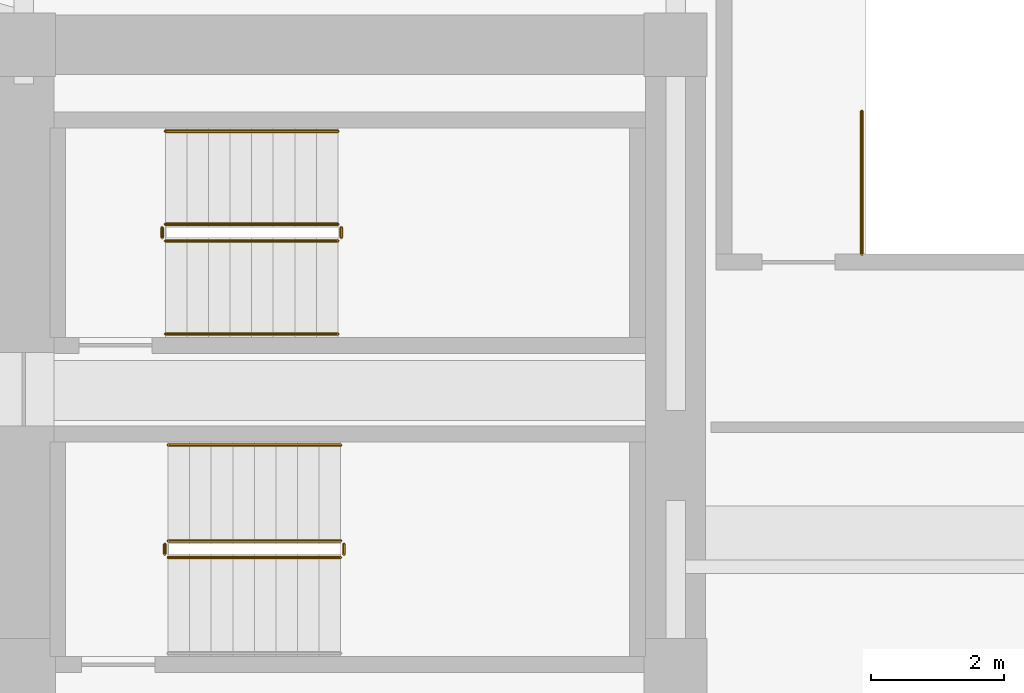
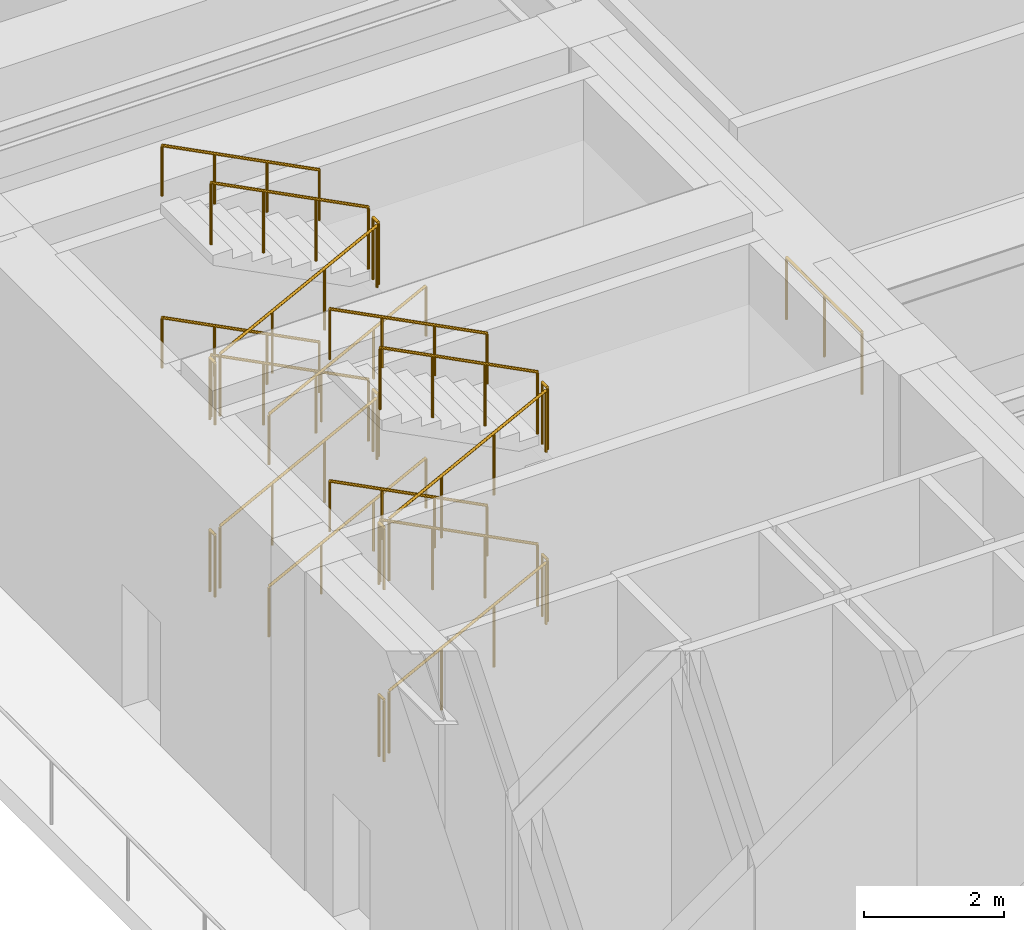
# One storey, part 16 of 16: 23 railings.
"""IFC4 building model written with IfcOpenShell, lengths in metres."""

from ifc_helpers import new_model, si_unit, direction, frame, origin, origin_2d, place, context, subcontext, project, spatial, circle, extrude, material, type_object, element, save


model = new_model("IFC4")

# Units and contexts
model_context = context("Model", 3, precision=1e-05, world=origin(), true_north=direction((0.0, 1.0)))
body_context = subcontext(model_context, "Body", "Model", "MODEL_VIEW")
ifc_project = project(units=[si_unit("LENGTHUNIT", "METRE"), si_unit("AREAUNIT", "SQUARE_METRE"), si_unit("VOLUMEUNIT", "CUBIC_METRE"), si_unit("PLANEANGLEUNIT", "RADIAN"), si_unit("MASSUNIT", "GRAM", prefix="KILO")], contexts=[model_context])

# Site, building, storey
site_placement = place(None, origin())
site = spatial("IfcSite", under=ifc_project, at=site_placement, CompositionType="ELEMENT")
building_placement = place(site_placement, origin())
building = spatial("IfcBuilding", under=site, at=building_placement, Name="Kolvaren Arena Tower", CompositionType="ELEMENT")
storey_placement = place(building_placement, frame((0.0, 0.0, 28.0)))
storey = spatial("IfcBuildingStorey", under=building, at=storey_placement, Name="L05", CompositionType="ELEMENT", Elevation=28.0)

# Railings
ifc_material_1 = material(Name="Painted galvanized steel", Category="steel")
railing_type_1 = type_object("IfcRailingType", Name="GUARD-ST-110", PredefinedType="GUARDRAIL", material=ifc_material_1)
railing_1_placement = place(storey_placement, frame((52.719970703125, 31.639892578125, 0.166748046875)))
element("IfcRailing", 1, at=railing_1_placement, inside=storey, type_object=railing_type_1, Name="L05 ST-E1 stair guard 1", PredefinedType="GUARDRAIL", context=body_context, shape_type="SweptSolid", body=[
    extrude(circle(Radius=0.02392578125, at=origin_2d()), frame((0.0, 0.0, 1.076171875), z_axis=(0.889259574853, 0.0, 0.457402895194), x_axis=(0.0, 1.0, 0.0)), (0.0, 0.0, 1.0), 2.914794921875),
    extrude(circle(Radius=0.02099609375, at=origin_2d()), origin(), (0.0, 0.0, 1.0), 1.052001953125),
    extrude(circle(Radius=0.02099609375, at=origin_2d()), frame((0.864013671875, 0.0, 0.4443359375)), (0.0, 0.0, 1.0), 1.052001953125),
    extrude(circle(Radius=0.02099609375, at=origin_2d()), frame((1.72802734375, 0.0, 0.888916015625)), (0.0, 0.0, 1.0), 1.052001953125),
    extrude(circle(Radius=0.02099609375, at=origin_2d()), frame((2.592041015625, 0.0, 1.333251953125)), (0.0, 0.0, 1.0), 1.052001953125),
])
railing_2_placement = place(storey_placement, frame((55.362060546875, 31.68994140625, 1.5)))
element("IfcRailing", 2, at=railing_2_placement, inside=storey, type_object=railing_type_1, Name="L05 ST-E1 stair guard 2", PredefinedType="GUARDRAIL", context=body_context, shape_type="SweptSolid", body=[
    extrude(circle(Radius=0.02392578125, at=origin_2d()), frame((0.0, 0.0, 1.076171875), z_axis=(0.0, 1.0, 0.0), x_axis=(-1.0, 0.0, 0.0)), (0.0, 0.0, 1.0), 0.150146484375),
    extrude(circle(Radius=0.02099609375, at=origin_2d()), origin(), (0.0, 0.0, 1.0), 1.052001953125),
    extrude(circle(Radius=0.02099609375, at=origin_2d()), frame((0.0, 0.150146484375, 0.0)), (0.0, 0.0, 1.0), 1.052001953125),
])
railing_3_placement = place(storey_placement, frame((55.31201171875, 31.889892578125, 1.666748046875)))
element("IfcRailing", 3, at=railing_3_placement, inside=storey, type_object=railing_type_1, Name="L05 ST-E1 stair guard 3", PredefinedType="GUARDRAIL", context=body_context, shape_type="SweptSolid", body=[
    extrude(circle(Radius=0.02392578125, at=origin_2d()), frame((0.0, 0.0, 1.076171875), z_axis=(-0.889259574853, 0.0, 0.457402895194), x_axis=(0.0, -1.0, 0.0)), (0.0, 0.0, 1.0), 2.914794921875),
    extrude(circle(Radius=0.02099609375, at=origin_2d()), origin(), (0.0, 0.0, 1.0), 1.052001953125),
    extrude(circle(Radius=0.02099609375, at=origin_2d()), frame((-0.864013671875, 0.0, 0.4443359375)), (0.0, 0.0, 1.0), 1.052001953125),
    extrude(circle(Radius=0.02099609375, at=origin_2d()), frame((-1.72802734375, 0.0, 0.888916015625)), (0.0, 0.0, 1.0), 1.052001953125),
    extrude(circle(Radius=0.02099609375, at=origin_2d()), frame((-2.592041015625, 0.0, 1.333251953125)), (0.0, 0.0, 1.0), 1.052001953125),
])
railing_4_placement = place(storey_placement, frame((52.669921875, 31.68994140625, 3.0)))
element("IfcRailing", 4, at=railing_4_placement, inside=storey, type_object=railing_type_1, Name="L05 ST-E1 stair guard 4", PredefinedType="GUARDRAIL", context=body_context, shape_type="SweptSolid", body=[
    extrude(circle(Radius=0.02392578125, at=origin_2d()), frame((0.0, 0.0, 1.076171875), z_axis=(0.0, 1.0, 0.0), x_axis=(-1.0, 0.0, 0.0)), (0.0, 0.0, 1.0), 0.150146484375),
    extrude(circle(Radius=0.02099609375, at=origin_2d()), origin(), (0.0, 0.0, 1.0), 1.052001953125),
    extrude(circle(Radius=0.02099609375, at=origin_2d()), frame((0.0, 0.150146484375, 0.0)), (0.0, 0.0, 1.0), 1.052001953125),
])
railing_5_placement = place(storey_placement, frame((52.719970703125, 31.639892578125, 3.166748046875)))
element("IfcRailing", 5, at=railing_5_placement, inside=storey, type_object=railing_type_1, Name="L05 ST-E1 stair guard 5", PredefinedType="GUARDRAIL", context=body_context, shape_type="SweptSolid", body=[
    extrude(circle(Radius=0.02392578125, at=origin_2d()), frame((0.0, 0.0, 1.076171875), z_axis=(0.889259574853, 0.0, 0.457402895194), x_axis=(0.0, 1.0, 0.0)), (0.0, 0.0, 1.0), 2.914794921875),
    extrude(circle(Radius=0.02099609375, at=origin_2d()), origin(), (0.0, 0.0, 1.0), 1.052001953125),
    extrude(circle(Radius=0.02099609375, at=origin_2d()), frame((0.864013671875, 0.0, 0.4443359375)), (0.0, 0.0, 1.0), 1.052001953125),
    extrude(circle(Radius=0.02099609375, at=origin_2d()), frame((1.72802734375, 0.0, 0.888916015625)), (0.0, 0.0, 1.0), 1.052001953125),
    extrude(circle(Radius=0.02099609375, at=origin_2d()), frame((2.592041015625, 0.0, 1.333251953125)), (0.0, 0.0, 1.0), 1.052001953125),
])
railing_6_placement = place(storey_placement, frame((55.362060546875, 31.68994140625, 4.5)))
element("IfcRailing", 6, at=railing_6_placement, inside=storey, type_object=railing_type_1, Name="L05 ST-E1 stair guard 6", PredefinedType="GUARDRAIL", context=body_context, shape_type="SweptSolid", body=[
    extrude(circle(Radius=0.02392578125, at=origin_2d()), frame((0.0, 0.0, 1.076171875), z_axis=(0.0, 1.0, 0.0), x_axis=(-1.0, 0.0, 0.0)), (0.0, 0.0, 1.0), 0.150146484375),
    extrude(circle(Radius=0.02099609375, at=origin_2d()), origin(), (0.0, 0.0, 1.0), 1.052001953125),
    extrude(circle(Radius=0.02099609375, at=origin_2d()), frame((0.0, 0.150146484375, 0.0)), (0.0, 0.0, 1.0), 1.052001953125),
])
railing_7_placement = place(storey_placement, frame((55.31201171875, 31.889892578125, 4.666748046875)))
element("IfcRailing", 7, at=railing_7_placement, inside=storey, type_object=railing_type_1, Name="L05 ST-E1 stair guard 7", PredefinedType="GUARDRAIL", context=body_context, shape_type="SweptSolid", body=[
    extrude(circle(Radius=0.02392578125, at=origin_2d()), frame((0.0, 0.0, 1.076171875), z_axis=(-0.889259574853, 0.0, 0.457402895194), x_axis=(0.0, -1.0, 0.0)), (0.0, 0.0, 1.0), 2.914794921875),
    extrude(circle(Radius=0.02099609375, at=origin_2d()), origin(), (0.0, 0.0, 1.0), 1.052001953125),
    extrude(circle(Radius=0.02099609375, at=origin_2d()), frame((-0.864013671875, 0.0, 0.4443359375)), (0.0, 0.0, 1.0), 1.052001953125),
    extrude(circle(Radius=0.02099609375, at=origin_2d()), frame((-1.72802734375, 0.0, 0.888916015625)), (0.0, 0.0, 1.0), 1.052001953125),
    extrude(circle(Radius=0.02099609375, at=origin_2d()), frame((-2.592041015625, 0.0, 1.333251953125)), (0.0, 0.0, 1.0), 1.052001953125),
])
railing_8_placement = place(storey_placement, frame((52.669921875, 31.68994140625, 0.0)))
element("IfcRailing", 8, at=railing_8_placement, inside=storey, type_object=railing_type_1, Name="L05 ST-E1 stair guard 8", PredefinedType="GUARDRAIL", context=body_context, shape_type="SweptSolid", body=[
    extrude(circle(Radius=0.02392578125, at=origin_2d()), frame((0.0, 0.0, 1.076171875), z_axis=(0.0, 1.0, 0.0), x_axis=(-1.0, 0.0, 0.0)), (0.0, 0.0, 1.0), 0.150146484375),
    extrude(circle(Radius=0.02099609375, at=origin_2d()), origin(), (0.0, 0.0, 1.0), 1.052001953125),
    extrude(circle(Radius=0.02099609375, at=origin_2d()), frame((0.0, 0.150146484375, 0.0)), (0.0, 0.0, 1.0), 1.052001953125),
])
railing_9_placement = place(storey_placement, frame((52.679931640625, 36.39990234375, 0.166748046875)))
element("IfcRailing", 9, at=railing_9_placement, inside=storey, type_object=railing_type_1, Name="L05 ST-E2 stair guard 1", PredefinedType="GUARDRAIL", context=body_context, shape_type="SweptSolid", body=[
    extrude(circle(Radius=0.02392578125, at=origin_2d()), frame((0.0, 0.0, 1.076171875), z_axis=(0.889259574853, 0.0, 0.457402895194), x_axis=(0.0, 1.0, 0.0)), (0.0, 0.0, 1.0), 2.914794921875),
    extrude(circle(Radius=0.02099609375, at=origin_2d()), origin(), (0.0, 0.0, 1.0), 1.052001953125),
    extrude(circle(Radius=0.02099609375, at=origin_2d()), frame((0.864013671875, 0.0, 0.4443359375)), (0.0, 0.0, 1.0), 1.052001953125),
    extrude(circle(Radius=0.02099609375, at=origin_2d()), frame((1.72802734375, 0.0, 0.888916015625)), (0.0, 0.0, 1.0), 1.052001953125),
    extrude(circle(Radius=0.02099609375, at=origin_2d()), frame((2.592041015625, 0.0, 1.333251953125)), (0.0, 0.0, 1.0), 1.052001953125),
])
railing_10_placement = place(storey_placement, frame((55.322021484375, 36.449951171875, 1.5)))
element("IfcRailing", 10, at=railing_10_placement, inside=storey, type_object=railing_type_1, Name="L05 ST-E2 stair guard 2", PredefinedType="GUARDRAIL", context=body_context, shape_type="SweptSolid", body=[
    extrude(circle(Radius=0.02392578125, at=origin_2d()), frame((0.0, 0.0, 1.076171875), z_axis=(0.0, 1.0, 0.0), x_axis=(-1.0, 0.0, 0.0)), (0.0, 0.0, 1.0), 0.150146484375),
    extrude(circle(Radius=0.02099609375, at=origin_2d()), origin(), (0.0, 0.0, 1.0), 1.052001953125),
    extrude(circle(Radius=0.02099609375, at=origin_2d()), frame((0.0, 0.150146484375, 0.0)), (0.0, 0.0, 1.0), 1.052001953125),
])
railing_11_placement = place(storey_placement, frame((55.27197265625, 36.64990234375, 1.666748046875)))
element("IfcRailing", 11, at=railing_11_placement, inside=storey, type_object=railing_type_1, Name="L05 ST-E2 stair guard 3", PredefinedType="GUARDRAIL", context=body_context, shape_type="SweptSolid", body=[
    extrude(circle(Radius=0.02392578125, at=origin_2d()), frame((0.0, 0.0, 1.076171875), z_axis=(-0.889259574853, 0.0, 0.457402895194), x_axis=(0.0, -1.0, 0.0)), (0.0, 0.0, 1.0), 2.914794921875),
    extrude(circle(Radius=0.02099609375, at=origin_2d()), origin(), (0.0, 0.0, 1.0), 1.052001953125),
    extrude(circle(Radius=0.02099609375, at=origin_2d()), frame((-0.864013671875, 0.0, 0.4443359375)), (0.0, 0.0, 1.0), 1.052001953125),
    extrude(circle(Radius=0.02099609375, at=origin_2d()), frame((-1.72802734375, 0.0, 0.888916015625)), (0.0, 0.0, 1.0), 1.052001953125),
    extrude(circle(Radius=0.02099609375, at=origin_2d()), frame((-2.592041015625, 0.0, 1.333251953125)), (0.0, 0.0, 1.0), 1.052001953125),
])
railing_12_placement = place(storey_placement, frame((52.6298828125, 36.449951171875, 3.0)))
element("IfcRailing", 12, at=railing_12_placement, inside=storey, type_object=railing_type_1, Name="L05 ST-E2 stair guard 4", PredefinedType="GUARDRAIL", context=body_context, shape_type="SweptSolid", body=[
    extrude(circle(Radius=0.02392578125, at=origin_2d()), frame((0.0, 0.0, 1.076171875), z_axis=(0.0, 1.0, 0.0), x_axis=(-1.0, 0.0, 0.0)), (0.0, 0.0, 1.0), 0.150146484375),
    extrude(circle(Radius=0.02099609375, at=origin_2d()), origin(), (0.0, 0.0, 1.0), 1.052001953125),
    extrude(circle(Radius=0.02099609375, at=origin_2d()), frame((0.0, 0.150146484375, 0.0)), (0.0, 0.0, 1.0), 1.052001953125),
])
railing_13_placement = place(storey_placement, frame((52.679931640625, 36.39990234375, 3.166748046875)))
element("IfcRailing", 13, at=railing_13_placement, inside=storey, type_object=railing_type_1, Name="L05 ST-E2 stair guard 5", PredefinedType="GUARDRAIL", context=body_context, shape_type="SweptSolid", body=[
    extrude(circle(Radius=0.02392578125, at=origin_2d()), frame((0.0, 0.0, 1.076171875), z_axis=(0.889259574853, 0.0, 0.457402895194), x_axis=(0.0, 1.0, 0.0)), (0.0, 0.0, 1.0), 2.914794921875),
    extrude(circle(Radius=0.02099609375, at=origin_2d()), origin(), (0.0, 0.0, 1.0), 1.052001953125),
    extrude(circle(Radius=0.02099609375, at=origin_2d()), frame((0.864013671875, 0.0, 0.4443359375)), (0.0, 0.0, 1.0), 1.052001953125),
    extrude(circle(Radius=0.02099609375, at=origin_2d()), frame((1.72802734375, 0.0, 0.888916015625)), (0.0, 0.0, 1.0), 1.052001953125),
    extrude(circle(Radius=0.02099609375, at=origin_2d()), frame((2.592041015625, 0.0, 1.333251953125)), (0.0, 0.0, 1.0), 1.052001953125),
])
railing_14_placement = place(storey_placement, frame((55.322021484375, 36.449951171875, 4.5)))
element("IfcRailing", 14, at=railing_14_placement, inside=storey, type_object=railing_type_1, Name="L05 ST-E2 stair guard 6", PredefinedType="GUARDRAIL", context=body_context, shape_type="SweptSolid", body=[
    extrude(circle(Radius=0.02392578125, at=origin_2d()), frame((0.0, 0.0, 1.076171875), z_axis=(0.0, 1.0, 0.0), x_axis=(-1.0, 0.0, 0.0)), (0.0, 0.0, 1.0), 0.150146484375),
    extrude(circle(Radius=0.02099609375, at=origin_2d()), origin(), (0.0, 0.0, 1.0), 1.052001953125),
    extrude(circle(Radius=0.02099609375, at=origin_2d()), frame((0.0, 0.150146484375, 0.0)), (0.0, 0.0, 1.0), 1.052001953125),
])
railing_15_placement = place(storey_placement, frame((55.27197265625, 36.64990234375, 4.666748046875)))
element("IfcRailing", 15, at=railing_15_placement, inside=storey, type_object=railing_type_1, Name="L05 ST-E2 stair guard 7", PredefinedType="GUARDRAIL", context=body_context, shape_type="SweptSolid", body=[
    extrude(circle(Radius=0.02392578125, at=origin_2d()), frame((0.0, 0.0, 1.076171875), z_axis=(-0.889259574853, 0.0, 0.457402895194), x_axis=(0.0, -1.0, 0.0)), (0.0, 0.0, 1.0), 2.914794921875),
    extrude(circle(Radius=0.02099609375, at=origin_2d()), origin(), (0.0, 0.0, 1.0), 1.052001953125),
    extrude(circle(Radius=0.02099609375, at=origin_2d()), frame((-0.864013671875, 0.0, 0.4443359375)), (0.0, 0.0, 1.0), 1.052001953125),
    extrude(circle(Radius=0.02099609375, at=origin_2d()), frame((-1.72802734375, 0.0, 0.888916015625)), (0.0, 0.0, 1.0), 1.052001953125),
    extrude(circle(Radius=0.02099609375, at=origin_2d()), frame((-2.592041015625, 0.0, 1.333251953125)), (0.0, 0.0, 1.0), 1.052001953125),
])
railing_16_placement = place(storey_placement, frame((52.6298828125, 36.449951171875, 0.0)))
element("IfcRailing", 16, at=railing_16_placement, inside=storey, type_object=railing_type_1, Name="L05 ST-E2 stair guard 8", PredefinedType="GUARDRAIL", context=body_context, shape_type="SweptSolid", body=[
    extrude(circle(Radius=0.02392578125, at=origin_2d()), frame((0.0, 0.0, 1.076171875), z_axis=(0.0, 1.0, 0.0), x_axis=(-1.0, 0.0, 0.0)), (0.0, 0.0, 1.0), 0.150146484375),
    extrude(circle(Radius=0.02099609375, at=origin_2d()), origin(), (0.0, 0.0, 1.0), 1.052001953125),
    extrude(circle(Radius=0.02099609375, at=origin_2d()), frame((0.0, 0.150146484375, 0.0)), (0.0, 0.0, 1.0), 1.052001953125),
])
railing_17_placement = place(storey_placement, frame((63.14990234375, 36.199951171875, 0.0)))
element("IfcRailing", 17, at=railing_17_placement, inside=storey, type_object=railing_type_1, Name="L05 ST-A8 top well guard 1", PredefinedType="GUARDRAIL", context=body_context, shape_type="SweptSolid", body=[
    extrude(circle(Radius=0.02392578125, at=origin_2d()), frame((0.0, 0.0, 1.076171875), z_axis=(0.0, 1.0, 0.0), x_axis=(-1.0, 0.0, 0.0)), (0.0, 0.0, 1.0), 2.150146484375),
    extrude(circle(Radius=0.02099609375, at=origin_2d()), origin(), (0.0, 0.0, 1.0), 1.052001953125),
    extrude(circle(Radius=0.02099609375, at=origin_2d()), frame((0.0, 1.0751953125, 0.0)), (0.0, 0.0, 1.0), 1.052001953125),
    extrude(circle(Radius=0.02099609375, at=origin_2d()), frame((0.0, 2.150146484375, 0.0)), (0.0, 0.0, 1.0), 1.052001953125),
])
ifc_material_2 = material(Name="Brushed stainless steel handrail", Category="steel")
railing_type_2 = type_object("IfcRailingType", Name="HRAIL-900", PredefinedType="HANDRAIL", material=ifc_material_2)
for number, where, name in (
    (18, (55.31201171875, 33.330078125, 1.666748046875), "L05 ST-E1 stair handrail 2"),
    (19, (55.31201171875, 33.330078125, 4.666748046875), "L05 ST-E1 stair handrail 4"),
):
    element("IfcRailing", number, at=place(storey_placement, frame(where)), inside=storey, type_object=railing_type_2, Name=name, PredefinedType="HANDRAIL", context=body_context, shape_type="SweptSolid", body=[
        extrude(circle(Radius=0.02392578125, at=origin_2d()), frame((0.0, 0.0, 0.8759765625), z_axis=(-0.889259574853, 0.0, 0.457402895194), x_axis=(0.0, -1.0, 0.0)), (0.0, 0.0, 1.0), 2.914794921875),
        extrude(circle(Radius=0.02099609375, at=origin_2d()), origin(), (0.0, 0.0, 1.0), 0.851806640625),
        extrude(circle(Radius=0.02099609375, at=origin_2d()), frame((-0.864013671875, 0.0, 0.4443359375)), (0.0, 0.0, 1.0), 0.851806640625),
        extrude(circle(Radius=0.02099609375, at=origin_2d()), frame((-1.72802734375, 0.0, 0.888916015625)), (0.0, 0.0, 1.0), 0.851806640625),
        extrude(circle(Radius=0.02099609375, at=origin_2d()), frame((-2.592041015625, 0.0, 1.333251953125)), (0.0, 0.0, 1.0), 0.851806640625),
    ])
railing_18_placement = place(storey_placement, frame((52.679931640625, 35.0, 0.166748046875)))
element("IfcRailing", 20, at=railing_18_placement, inside=storey, type_object=railing_type_2, Name="L05 ST-E2 stair handrail 1", PredefinedType="HANDRAIL", context=body_context, shape_type="SweptSolid", body=[
    extrude(circle(Radius=0.02392578125, at=origin_2d()), frame((0.0, 0.0, 0.8759765625), z_axis=(0.889259574853, 0.0, 0.457402895194), x_axis=(0.0, 1.0, 0.0)), (0.0, 0.0, 1.0), 2.914794921875),
    extrude(circle(Radius=0.02099609375, at=origin_2d()), origin(), (0.0, 0.0, 1.0), 0.851806640625),
    extrude(circle(Radius=0.02099609375, at=origin_2d()), frame((0.864013671875, 0.0, 0.4443359375)), (0.0, 0.0, 1.0), 0.851806640625),
    extrude(circle(Radius=0.02099609375, at=origin_2d()), frame((1.72802734375, 0.0, 0.888916015625)), (0.0, 0.0, 1.0), 0.851806640625),
    extrude(circle(Radius=0.02099609375, at=origin_2d()), frame((2.592041015625, 0.0, 1.333251953125)), (0.0, 0.0, 1.0), 0.851806640625),
])
railing_19_placement = place(storey_placement, frame((55.27197265625, 38.050048828125, 1.666748046875)))
element("IfcRailing", 21, at=railing_19_placement, inside=storey, type_object=railing_type_2, Name="L05 ST-E2 stair handrail 2", PredefinedType="HANDRAIL", context=body_context, shape_type="SweptSolid", body=[
    extrude(circle(Radius=0.02392578125, at=origin_2d()), frame((0.0, 0.0, 0.8759765625), z_axis=(-0.889259574853, 0.0, 0.457402895194), x_axis=(0.0, -1.0, 0.0)), (0.0, 0.0, 1.0), 2.914794921875),
    extrude(circle(Radius=0.02099609375, at=origin_2d()), origin(), (0.0, 0.0, 1.0), 0.851806640625),
    extrude(circle(Radius=0.02099609375, at=origin_2d()), frame((-0.864013671875, 0.0, 0.4443359375)), (0.0, 0.0, 1.0), 0.851806640625),
    extrude(circle(Radius=0.02099609375, at=origin_2d()), frame((-1.72802734375, 0.0, 0.888916015625)), (0.0, 0.0, 1.0), 0.851806640625),
    extrude(circle(Radius=0.02099609375, at=origin_2d()), frame((-2.592041015625, 0.0, 1.333251953125)), (0.0, 0.0, 1.0), 0.851806640625),
])
railing_20_placement = place(storey_placement, frame((52.679931640625, 35.0, 3.166748046875)))
element("IfcRailing", 22, at=railing_20_placement, inside=storey, type_object=railing_type_2, Name="L05 ST-E2 stair handrail 3", PredefinedType="HANDRAIL", context=body_context, shape_type="SweptSolid", body=[
    extrude(circle(Radius=0.02392578125, at=origin_2d()), frame((0.0, 0.0, 0.8759765625), z_axis=(0.889259574853, 0.0, 0.457402895194), x_axis=(0.0, 1.0, 0.0)), (0.0, 0.0, 1.0), 2.914794921875),
    extrude(circle(Radius=0.02099609375, at=origin_2d()), origin(), (0.0, 0.0, 1.0), 0.851806640625),
    extrude(circle(Radius=0.02099609375, at=origin_2d()), frame((0.864013671875, 0.0, 0.4443359375)), (0.0, 0.0, 1.0), 0.851806640625),
    extrude(circle(Radius=0.02099609375, at=origin_2d()), frame((1.72802734375, 0.0, 0.888916015625)), (0.0, 0.0, 1.0), 0.851806640625),
    extrude(circle(Radius=0.02099609375, at=origin_2d()), frame((2.592041015625, 0.0, 1.333251953125)), (0.0, 0.0, 1.0), 0.851806640625),
])
railing_21_placement = place(storey_placement, frame((55.27197265625, 38.050048828125, 4.666748046875)))
element("IfcRailing", 23, at=railing_21_placement, inside=storey, type_object=railing_type_2, Name="L05 ST-E2 stair handrail 4", PredefinedType="HANDRAIL", context=body_context, shape_type="SweptSolid", body=[
    extrude(circle(Radius=0.02392578125, at=origin_2d()), frame((0.0, 0.0, 0.8759765625), z_axis=(-0.889259574853, 0.0, 0.457402895194), x_axis=(0.0, -1.0, 0.0)), (0.0, 0.0, 1.0), 2.914794921875),
    extrude(circle(Radius=0.02099609375, at=origin_2d()), origin(), (0.0, 0.0, 1.0), 0.851806640625),
    extrude(circle(Radius=0.02099609375, at=origin_2d()), frame((-0.864013671875, 0.0, 0.4443359375)), (0.0, 0.0, 1.0), 0.851806640625),
    extrude(circle(Radius=0.02099609375, at=origin_2d()), frame((-1.72802734375, 0.0, 0.888916015625)), (0.0, 0.0, 1.0), 0.851806640625),
    extrude(circle(Radius=0.02099609375, at=origin_2d()), frame((-2.592041015625, 0.0, 1.333251953125)), (0.0, 0.0, 1.0), 0.851806640625),
])

save(model, "model.ifc")
